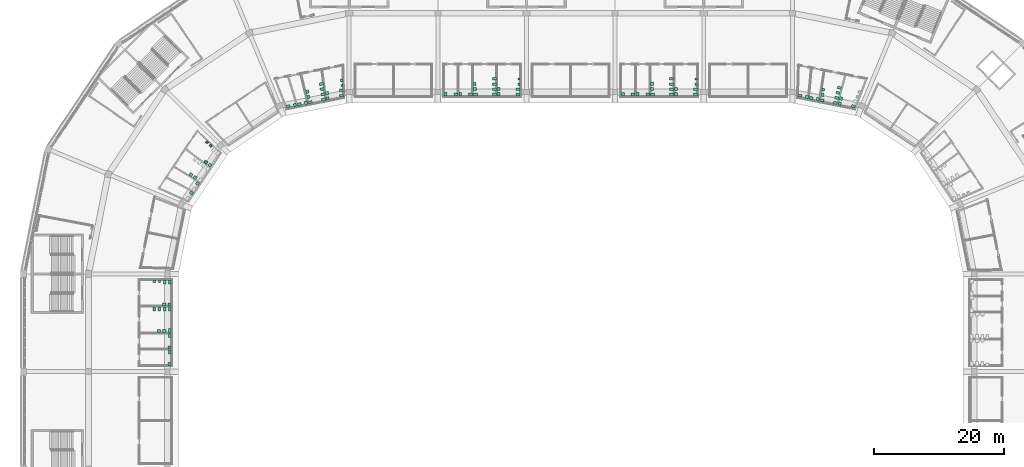
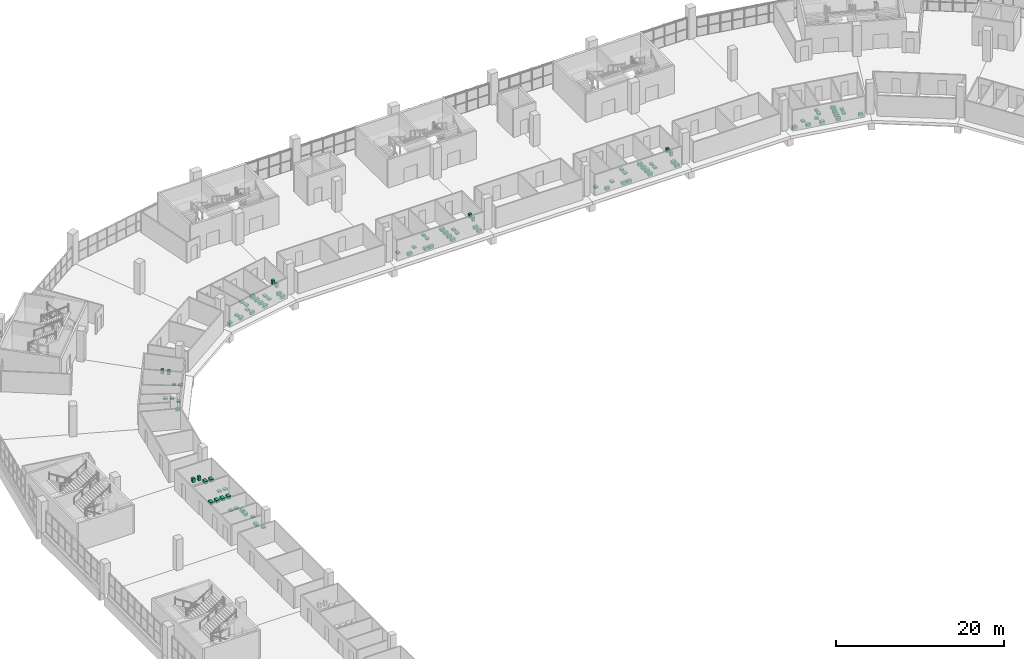
# One storey, part 198 of 199: 90 sanitary terminals.
"""IFC4 building model written with IfcOpenShell, lengths in metres."""

import ifcopenshell
import ifcopenshell.guid

model = None  # the IFC model being written
_history = None  # IfcOwnerHistory: only IFC2X3 demands one
_inside = {}  # id of a spatial element -> (the spatial element, [elements in it])
_under = {}  # id of a project, library or spatial element -> (it, [spatial elements below it])
_declared = {}  # id of a project -> (the project, [libraries it declares])
_typed = {}  # id of a type object -> (the type object, [elements of that type])
_made_of = {}  # id of a material, layer set ... -> (it, [elements and type objects made of it])


def new_model(schema):
    """Start an empty IFC model of exactly this schema.

    Asked for "IFC4X3", IfcOpenShell would pick the latest addendum, in which some entities
    have other attributes; the version numbers below select the first issue.
    IFC2X3 requires an IfcOwnerHistory on every rooted entity: one is made here for all.
    """
    global model, _history
    if schema == "IFC4X3":
        model = ifcopenshell.file(schema_version=(4, 3, 0, 0))
    else:
        model = ifcopenshell.file(schema=schema)
    _inside.clear()
    _under.clear()
    _declared.clear()
    _typed.clear()
    _made_of.clear()
    _history = None
    if model.schema == "IFC2X3":
        org = make("IfcOrganization", Name="unknown")
        user = make(
            "IfcPersonAndOrganization",
            ThePerson=make("IfcPerson", FamilyName="unknown"),
            TheOrganization=org,
        )
        app = make(
            "IfcApplication",
            ApplicationDeveloper=org,
            Version="unknown",
            ApplicationFullName="unknown",
            ApplicationIdentifier="unknown",
        )
        _history = make(
            "IfcOwnerHistory",
            OwningUser=user,
            OwningApplication=app,
            ChangeAction="ADDED",
            CreationDate=0,
        )
    return model


def make(cls, **values):
    """One entity of the class cls with the attributes given. An attribute that is None is left unset."""
    return model.create_entity(
        cls, **{name: value for name, value in values.items() if value is not None}
    )


def rooted(cls, **values):
    """An entity with a GlobalId (a new one), such as an element, a storey or a relation."""
    return make(cls, GlobalId=ifcopenshell.guid.new(), OwnerHistory=_history, **values)


def si_unit(unit_type, name, prefix=None):
    """IfcSIUnit, for example si_unit("LENGTHUNIT", "METRE", prefix="MILLI")."""
    return make("IfcSIUnit", UnitType=unit_type, Prefix=prefix, Name=name)


def assignment(units):
    """IfcUnitAssignment: the units of a project."""
    return None if units is None else make("IfcUnitAssignment", Units=units)


def point(xyz):
    """IfcCartesianPoint."""
    return None if xyz is None else make("IfcCartesianPoint", Coordinates=xyz)


def direction(xyz):
    """IfcDirection."""
    return None if xyz is None else make("IfcDirection", DirectionRatios=xyz)


def frame(location, z_axis=None, x_axis=None):
    """IfcAxis2Placement3D, a coordinate frame: its origin and axes. An axis left out is left unset."""
    return make(
        "IfcAxis2Placement3D",
        Location=point(location),
        Axis=direction(z_axis),
        RefDirection=direction(x_axis),
    )


def frame_2d(location, x_axis=None):
    """IfcAxis2Placement2D, a coordinate frame in the plane: its origin and x axis."""
    return make(
        "IfcAxis2Placement2D", Location=point(location), RefDirection=direction(x_axis)
    )


def origin():
    """The frame at (0, 0, 0) with its axes left unset."""
    return frame((0.0, 0.0, 0.0))


def origin_2d():
    """The frame at (0, 0) in the plane with its x axis left unset."""
    return frame_2d((0.0, 0.0))


def place(relative_to, where):
    """IfcLocalPlacement: puts the frame where relative to a parent placement (None: the world)."""
    return make(
        "IfcLocalPlacement", PlacementRelTo=relative_to, RelativePlacement=where
    )


def context(
    kind, dimensions, precision=None, world=None, true_north=None, identifier=None
):
    """IfcGeometricRepresentationContext, for example the 3D "Model" context."""
    return make(
        "IfcGeometricRepresentationContext",
        ContextIdentifier=identifier,
        ContextType=kind,
        CoordinateSpaceDimension=dimensions,
        Precision=precision,
        WorldCoordinateSystem=world,
        TrueNorth=true_north,
    )


def subcontext(parent, identifier, kind, view, scale=None):
    """IfcGeometricRepresentationSubContext, for example "Body" below "Model"."""
    return make(
        "IfcGeometricRepresentationSubContext",
        ContextIdentifier=identifier,
        ContextType=kind,
        ParentContext=parent,
        TargetScale=scale,
        TargetView=view,
    )


def project(units=None, contexts=None):
    """IfcProject with its units and contexts."""
    return rooted(
        "IfcProject",
        Name="project",
        RepresentationContexts=contexts,
        UnitsInContext=assignment(units),
    )


def spatial(cls, under=None, at=None, **own):
    """A site, building, storey or space (cls), placed at a placement, below another one or the project."""
    s = rooted(cls, ObjectPlacement=at, **own)
    if under is not None:
        _under.setdefault(under.id(), (under, []))[1].append(s)
    return s


def profile(cls, at=None, kind="AREA", **sizes):
    """A parametric profile (cls). Its sizes go by their IFC names, for example OverallWidth=200.0."""
    return make(cls, ProfileType=kind, Position=at, **sizes)


def rectangle(**sizes):
    """IfcRectangleProfileDef."""
    return profile("IfcRectangleProfileDef", **sizes)


def extrude(swept, where, along, depth):
    """IfcExtrudedAreaSolid: the profile swept, set in the frame where, extruded along a direction by depth."""
    return make(
        "IfcExtrudedAreaSolid",
        SweptArea=swept,
        Position=where,
        ExtrudedDirection=direction(along),
        Depth=depth,
    )


def shape(context_of_items, identifier, shape_type, items):
    """IfcShapeRepresentation: the items that make up one representation, for example the "Body"."""
    return make(
        "IfcShapeRepresentation",
        ContextOfItems=context_of_items,
        RepresentationIdentifier=identifier,
        RepresentationType=shape_type,
        Items=items,
    )


def material(Name=None, Category=None):
    """IfcMaterial."""
    return make("IfcMaterial", Name=Name, Category=Category)


def made_of(thing, what):
    """Note that an element or type object is made of a material, layer set ...; save() writes the relation."""
    if what is not None:
        _made_of.setdefault(what.id(), (what, []))[1].append(thing)
    return thing


def type_object(cls, material=None, **own):
    """A type object (cls), such as IfcWallType, which elements share."""
    return made_of(rooted(cls, **own), material)


def element(
    cls,
    number,
    at=None,
    inside=None,
    cuts=None,
    type_object=None,
    material=None,
    context=None,
    identifier="Body",
    shape_type=None,
    held_by="IfcProductDefinitionShape",
    body=None,
    shapes=None,
    **own,
):
    """One element of the class cls, such as IfcWall. Its Tag is "e" and its number.

    at: its placement. inside: the storey or other place that contains it. cuts: it is an
    opening in that element (IfcRelVoidsElement). A single representation is given by context,
    identifier, shape_type and body (its items); several are given by shapes. held_by: the class
    of the entity that holds the representations. save() writes the other relations.
    """
    e = rooted(cls, Tag="e%d" % number, ObjectPlacement=at, **own)
    if body is not None:
        shapes = [shape(context, identifier, shape_type, body)]
    if shapes is not None:
        e.Representation = make(held_by, Representations=shapes)
    if inside is not None:
        _inside.setdefault(inside.id(), (inside, []))[1].append(e)
    if cuts is not None:
        rooted(
            "IfcRelVoidsElement", RelatingBuildingElement=cuts, RelatedOpeningElement=e
        )
    if type_object is not None:
        _typed.setdefault(type_object.id(), (type_object, []))[1].append(e)
    return made_of(e, material)


def aggregate(whole, parts):
    """IfcRelAggregates: a whole, such as a stair, and the parts it consists of."""
    return rooted("IfcRelAggregates", RelatingObject=whole, RelatedObjects=parts)


def save(model, path):
    """Write the relations noted so far, then the file.

    IfcRelAggregates (storeys below a building ...), IfcRelContainedInSpatialStructure (elements
    in a storey), IfcRelDefinesByType, IfcRelAssociatesMaterial and IfcRelDeclares: one each for
    every whole, place, type object, material and project.
    """
    for whole, parts in _under.values():
        aggregate(whole, parts)
    for where, things in _inside.values():
        rooted(
            "IfcRelContainedInSpatialStructure",
            RelatedElements=things,
            RelatingStructure=where,
        )
    for kind, things in _typed.values():
        rooted("IfcRelDefinesByType", RelatedObjects=things, RelatingType=kind)
    for what, things in _made_of.values():
        rooted("IfcRelAssociatesMaterial", RelatedObjects=things, RelatingMaterial=what)
    for by, libraries in _declared.values():
        rooted("IfcRelDeclares", RelatingContext=by, RelatedDefinitions=libraries)
    model.write(path)


model = new_model("IFC4")

# Units and contexts
model_context = context("Model", 3, precision=1e-05, world=origin(), true_north=direction((0.0, 1.0)))
body_context = subcontext(model_context, "Body", "Model", "MODEL_VIEW")
ifc_project = project(units=[si_unit("LENGTHUNIT", "METRE"), si_unit("AREAUNIT", "SQUARE_METRE"), si_unit("VOLUMEUNIT", "CUBIC_METRE"), si_unit("PLANEANGLEUNIT", "RADIAN"), si_unit("MASSUNIT", "GRAM", prefix="KILO")], contexts=[model_context])

# Site, building, storey
site_placement = place(None, origin())
site = spatial("IfcSite", under=ifc_project, at=site_placement, CompositionType="ELEMENT")
building_placement = place(site_placement, origin())
building = spatial("IfcBuilding", under=site, at=building_placement, Name="Ogive Plaza Stadium", CompositionType="ELEMENT")
storey_placement = place(building_placement, frame((0.0, 0.0, 4.5)))
storey = spatial("IfcBuildingStorey", under=building, at=storey_placement, Name="L01", CompositionType="ELEMENT", Elevation=4.5)

# Sanitary terminals
ifc_material_1 = material(Name="Vitreous china", Category="ceramic")
sanitary_terminal_type_1 = type_object("IfcSanitaryTerminalType", Name="Drinking fountain", PredefinedType="SANITARYFOUNTAIN", material=ifc_material_1)
for number, where, z_axis, x_axis, name in (
    (1, (-55.98583984375, 69.653076171875, 0.7998046875), (0.0, 0.0, 1.0), (-0.792821793707, 0.609453528518, 0.0), "Drinking fountain L01-094"),
    (2, (-14.740966796875, 81.64990234375, 0.7998046875), (0.0, 0.0, 1.0), (0.0, 1.0, 0.0), "Drinking fountain L01-110"),
    (3, (38.72216796875, 80.75390625, 0.7998046875), (0.0, 0.0, 1.0), (0.157954707162, 0.987446358282, 0.0), "Drinking fountain L01-122"),
):
    element("IfcSanitaryTerminal", number, at=place(storey_placement, frame(where, z_axis=z_axis, x_axis=x_axis)), inside=storey, type_object=sanitary_terminal_type_1, Name=name, PredefinedType="SANITARYFOUNTAIN", context=body_context, shape_type="SweptSolid", body=[
        extrude(rectangle(XDim=0.449951171875, YDim=0.39990234375, at=origin_2d()), origin(), (0.0, 0.0, 1.0), 0.199951171875),
    ])
ifc_material_2 = material(Name="Vitreous china", Category="ceramic")
sanitary_terminal_type_2 = type_object("IfcSanitaryTerminalType", Name="Lavatory", PredefinedType="WASHHANDBASIN", material=ifc_material_2)
for number, where, z_axis, x_axis, name in (
    (4, (-61.574951171875, 47.80810546875, 0.7998046875), (0.0, 0.0, 1.0), (-1.0, 0.0, 0.0), "Lavatory L01-087"),
    (5, (-62.375, 47.80810546875, 0.7998046875), (0.0, 0.0, 1.0), (-1.0, 0.0, 0.0), "Lavatory L01-087"),
    (6, (-55.356201171875, 69.20068359375, 0.7998046875), (0.0, 0.0, 1.0), (-0.792821793707, 0.609453528518, 0.0), "Lavatory L01-094"),
    (7, (-37.2919921875, 79.41015625, 0.7998046875), (0.0, 0.0, 1.0), (-0.12966094377, 0.991558389436, 0.0), "Lavatory L01-102"),
    (8, (-37.395751953125, 80.203369140625, 0.7998046875), (0.0, 0.0, 1.0), (-0.12966094377, 0.991558389436, 0.0), "Lavatory L01-102"),
    (9, (-11.05810546875, 80.074951171875, 0.7998046875), (0.0, 0.0, 1.0), (0.0, 1.0, 0.0), "Lavatory L01-109"),
    (10, (-11.05810546875, 80.875, 0.7998046875), (0.0, 0.0, 1.0), (0.0, 1.0, 0.0), "Lavatory L01-109"),
    (11, (16.14208984375, 80.074951171875, 0.7998046875), (0.0, 0.0, 1.0), (0.0, 1.0, 0.0), "Lavatory L01-115"),
    (12, (16.14208984375, 80.875, 0.7998046875), (0.0, 0.0, 1.0), (0.0, 1.0, 0.0), "Lavatory L01-115"),
    (13, (41.256591796875, 78.62158203125, 0.7998046875), (0.0, 0.0, 1.0), (0.259661875744, 0.965699596295, 0.0), "Lavatory L01-121"),
    (14, (41.46435546875, 79.39404296875, 0.7998046875), (0.0, 0.0, 1.0), (0.259661875744, 0.965699596295, 0.0), "Lavatory L01-121"),
    (15, (-62.375, 43.716064453125, 0.7998046875), (0.0, 0.0, 1.0), (-1.0, 0.0, 0.0), "Lavatory L01-088"),
    (16, (-63.175048828125, 43.716064453125, 0.7998046875), (0.0, 0.0, 1.0), (-1.0, 0.0, 0.0), "Lavatory L01-088"),
    (17, (-57.622802734375, 67.290283203125, 0.7998046875), (0.0, 0.0, 1.0), (-0.851834830375, 0.523810482675, 0.0), "Lavatory L01-095"),
    (18, (-58.30419921875, 67.709228515625, 0.7998046875), (0.0, 0.0, 1.0), (-0.851834830375, 0.523810482675, 0.0), "Lavatory L01-095"),
    (19, (-40.24560546875, 79.662109375, 0.7998046875), (0.0, 0.0, 1.0), (-0.231948240653, 0.972728129365, 0.0), "Lavatory L01-103"),
    (20, (-40.43115234375, 80.440185546875, 0.7998046875), (0.0, 0.0, 1.0), (-0.231948240653, 0.972728129365, 0.0), "Lavatory L01-103"),
    (21, (-14.716064453125, 80.875, 0.7998046875), (0.0, 0.0, 1.0), (0.0, 1.0, 0.0), "Lavatory L01-110"),
    (22, (12.48388671875, 80.875, 0.7998046875), (0.0, 0.0, 1.0), (0.0, 1.0, 0.0), "Lavatory L01-116"),
    (23, (12.48388671875, 81.675048828125, 0.7998046875), (0.0, 0.0, 1.0), (0.0, 1.0, 0.0), "Lavatory L01-116"),
    (24, (38.62451171875, 79.984619140625, 0.7998046875), (0.0, 0.0, 1.0), (0.157954707162, 0.987446358282, 0.0), "Lavatory L01-122"),
    (25, (-61.574951171875, 41.2080078125, 0.7998046875), (0.0, 0.0, 1.0), (-1.0, 0.0, 0.0), "Lavatory L01-089"),
    (26, (-61.574951171875, 38.699951171875, 0.7998046875), (0.0, 0.0, 1.0), (-1.0, 0.0, 0.0), "Lavatory L01-090"),
    (27, (-57.25341796875, 66.371337890625, 0.7998046875), (0.0, 0.0, 1.0), (-0.854516855644, 0.519423664671, 0.0), "Lavatory L01-096"),
    (28, (-58.19921875, 64.927734375, 0.7998046875), (0.0, 0.0, 1.0), (-0.885741426275, 0.46417898033, 0.0), "Lavatory L01-097"),
    (29, (-40.634033203125, 78.751220703125, 0.7998046875), (0.0, 0.0, 1.0), (-0.236946667666, 0.971522658862, 0.0), "Lavatory L01-104"),
    (30, (-42.32373046875, 78.399169921875, 0.7998046875), (0.0, 0.0, 1.0), (-0.298089664221, 0.954537873573, 0.0), "Lavatory L01-105"),
    (31, (-16.9580078125, 80.074951171875, 0.7998046875), (0.0, 0.0, 1.0), (0.0, 1.0, 0.0), "Lavatory L01-111"),
    (32, (-19.199951171875, 80.074951171875, 0.7998046875), (0.0, 0.0, 1.0), (0.0, 1.0, 0.0), "Lavatory L01-112"),
    (33, (10.241943359375, 80.074951171875, 0.7998046875), (0.0, 0.0, 1.0), (0.0, 1.0, 0.0), "Lavatory L01-117"),
    (34, (8.0, 80.074951171875, 0.7998046875), (0.0, 0.0, 1.0), (0.0, 1.0, 0.0), "Lavatory L01-118"),
    (35, (37.916748046875, 79.291748046875, 0.7998046875), (0.0, 0.0, 1.0), (0.15287544916, 0.988245463963, 0.0), "Lavatory L01-123"),
    (36, (36.22119140625, 79.613037109375, 0.7998046875), (0.0, 0.0, 1.0), (0.089886890154, 0.995951980257, 0.0), "Lavatory L01-124"),
):
    element("IfcSanitaryTerminal", number, at=place(storey_placement, frame(where, z_axis=z_axis, x_axis=x_axis)), inside=storey, type_object=sanitary_terminal_type_2, Name=name, PredefinedType="WASHHANDBASIN", context=body_context, shape_type="SweptSolid", body=[
        extrude(rectangle(XDim=0.5, YDim=0.449951171875, at=origin_2d()), origin(), (0.0, 0.0, 1.0), 0.199951171875),
    ])
ifc_material_3 = material(Name="Vitreous china", Category="ceramic")
sanitary_terminal_type_3 = type_object("IfcSanitaryTerminalType", Name="Urinal", PredefinedType="URINAL", material=ifc_material_3)
for number, where, z_axis, x_axis, name in (
    (37, (-63.10009765625, 51.35009765625, 0.599853515625), (0.0, 0.0, 1.0), (-1.0, 0.0, 0.0), "Urinal L01-087"),
    (38, (-63.89990234375, 51.35009765625, 0.599853515625), (0.0, 0.0, 1.0), (-1.0, 0.0, 0.0), "Urinal L01-087"),
    (39, (-55.235107421875, 72.162109375, 0.599853515625), (0.0, 0.0, 1.0), (-0.72963734478, 0.683834296524, 0.0), "Urinal L01-094"),
    (40, (-55.81884765625, 72.709228515625, 0.599853515625), (0.0, 0.0, 1.0), (-0.72963734478, 0.683834296524, 0.0), "Urinal L01-094"),
    (41, (-35.1123046875, 81.418701171875, 0.599853515625), (0.0, 0.0, 1.0), (-0.03238764602, 0.999475382581, 0.0), "Urinal L01-102"),
    (42, (-35.13818359375, 82.21826171875, 0.599853515625), (0.0, 0.0, 1.0), (-0.03238764602, 0.999475382581, 0.0), "Urinal L01-102"),
    (43, (-7.949951171875, 81.60009765625, 0.599853515625), (0.0, 0.0, 1.0), (0.0, 1.0, 0.0), "Urinal L01-109"),
    (44, (-7.949951171875, 82.39990234375, 0.599853515625), (0.0, 0.0, 1.0), (0.0, 1.0, 0.0), "Urinal L01-109"),
    (45, (19.25, 81.60009765625, 0.599853515625), (0.0, 0.0, 1.0), (0.0, 1.0, 0.0), "Urinal L01-115"),
    (46, (19.25, 82.39990234375, 0.599853515625), (0.0, 0.0, 1.0), (0.0, 1.0, 0.0), "Urinal L01-115"),
):
    element("IfcSanitaryTerminal", number, at=place(storey_placement, frame(where, z_axis=z_axis, x_axis=x_axis)), inside=storey, type_object=sanitary_terminal_type_3, Name=name, PredefinedType="URINAL", context=body_context, shape_type="SweptSolid", body=[
        extrude(rectangle(XDim=0.35009765625, YDim=0.35009765625, at=origin_2d()), origin(), (0.0, 0.0, 1.0), 0.60009765625),
    ])
ifc_material_4 = material(Name="Vitreous china", Category="ceramic")
sanitary_terminal_type_4 = type_object("IfcSanitaryTerminalType", Name="Water closet", PredefinedType="TOILETPAN", material=ifc_material_4)
for number, where, z_axis, x_axis, name in (
    (47, (-61.52490234375, 51.22509765625, 0.0), (0.0, 0.0, 1.0), (-1.0, 0.0, 0.0), "Water closet L01-087"),
    (48, (-62.324951171875, 51.22509765625, 0.0), (0.0, 0.0, 1.0), (-1.0, 0.0, 0.0), "Water closet L01-087"),
    (49, (-35.18603515625, 79.840576171875, 0.0), (0.0, 0.0, 1.0), (-0.03238764602, 0.999475382581, 0.0), "Water closet L01-102"),
    (50, (-35.2119140625, 80.64013671875, 0.0), (0.0, 0.0, 1.0), (-0.03238764602, 0.999475382581, 0.0), "Water closet L01-102"),
    (51, (-8.074951171875, 80.02490234375, 0.0), (0.0, 0.0, 1.0), (0.0, 1.0, 0.0), "Water closet L01-109"),
    (52, (-8.074951171875, 80.824951171875, 0.0), (0.0, 0.0, 1.0), (0.0, 1.0, 0.0), "Water closet L01-109"),
    (53, (19.125, 80.02490234375, 0.0), (0.0, 0.0, 1.0), (0.0, 1.0, 0.0), "Water closet L01-115"),
    (54, (19.125, 80.824951171875, 0.0), (0.0, 0.0, 1.0), (0.0, 1.0, 0.0), "Water closet L01-115"),
    (55, (43.366943359375, 78.213134765625, 0.0), (0.0, 0.0, 1.0), (0.352560386706, 0.935789064761, 0.0), "Water closet L01-121"),
    (56, (-61.52490234375, 47.133056640625, 0.0), (0.0, 0.0, 1.0), (-1.0, 0.0, 0.0), "Water closet L01-088"),
    (57, (-62.324951171875, 47.133056640625, 0.0), (0.0, 0.0, 1.0), (-1.0, 0.0, 0.0), "Water closet L01-088"),
    (58, (-63.125, 47.133056640625, 0.0), (0.0, 0.0, 1.0), (-1.0, 0.0, 0.0), "Water closet L01-088"),
    (59, (-63.925048828125, 47.133056640625, 0.0), (0.0, 0.0, 1.0), (-1.0, 0.0, 0.0), "Water closet L01-088"),
    (60, (-61.52490234375, 43.791015625, 0.0), (0.0, 0.0, 1.0), (-1.0, 0.0, 0.0), "Water closet L01-088"),
    (61, (-37.942138671875, 79.263916015625, 0.0), (0.0, 0.0, 1.0), (-0.134743707476, 0.990880483861, 0.0), "Water closet L01-103"),
    (62, (-38.050048828125, 80.056640625, 0.0), (0.0, 0.0, 1.0), (-0.134743707476, 0.990880483861, 0.0), "Water closet L01-103"),
    (63, (-38.15771484375, 80.849365234375, 0.0), (0.0, 0.0, 1.0), (-0.134743707476, 0.990880483861, 0.0), "Water closet L01-103"),
    (64, (-38.265625, 81.64208984375, 0.0), (0.0, 0.0, 1.0), (-0.134743707476, 0.990880483861, 0.0), "Water closet L01-103"),
    (65, (-39.975341796875, 78.852783203125, 0.0), (0.0, 0.0, 1.0), (-0.231948240653, 0.972728129365, 0.0), "Water closet L01-103"),
    (66, (-11.73291015625, 80.02490234375, 0.0), (0.0, 0.0, 1.0), (0.0, 1.0, 0.0), "Water closet L01-110"),
    (67, (-11.73291015625, 80.824951171875, 0.0), (0.0, 0.0, 1.0), (0.0, 1.0, 0.0), "Water closet L01-110"),
    (68, (-11.73291015625, 81.625, 0.0), (0.0, 0.0, 1.0), (0.0, 1.0, 0.0), "Water closet L01-110"),
    (69, (-11.73291015625, 82.425048828125, 0.0), (0.0, 0.0, 1.0), (0.0, 1.0, 0.0), "Water closet L01-110"),
    (70, (-14.64111328125, 80.02490234375, 0.0), (0.0, 0.0, 1.0), (0.0, 1.0, 0.0), "Water closet L01-110"),
    (71, (15.467041015625, 80.02490234375, 0.0), (0.0, 0.0, 1.0), (0.0, 1.0, 0.0), "Water closet L01-116"),
    (72, (15.467041015625, 80.824951171875, 0.0), (0.0, 0.0, 1.0), (0.0, 1.0, 0.0), "Water closet L01-116"),
    (73, (15.467041015625, 81.625, 0.0), (0.0, 0.0, 1.0), (0.0, 1.0, 0.0), "Water closet L01-116"),
    (74, (15.467041015625, 82.425048828125, 0.0), (0.0, 0.0, 1.0), (0.0, 1.0, 0.0), "Water closet L01-116"),
    (75, (12.55908203125, 80.02490234375, 0.0), (0.0, 0.0, 1.0), (0.0, 1.0, 0.0), "Water closet L01-116"),
    (76, (40.60009765625, 78.7353515625, 0.0), (0.0, 0.0, 1.0), (0.254706591156, 0.96701838267, 0.0), "Water closet L01-122"),
    (77, (40.8037109375, 79.5087890625, 0.0), (0.0, 0.0, 1.0), (0.254706591156, 0.96701838267, 0.0), "Water closet L01-122"),
    (78, (41.007568359375, 80.282470703125, 0.0), (0.0, 0.0, 1.0), (0.254706591156, 0.96701838267, 0.0), "Water closet L01-122"),
    (79, (41.211181640625, 81.05615234375, 0.0), (0.0, 0.0, 1.0), (0.254706591156, 0.96701838267, 0.0), "Water closet L01-122"),
    (80, (38.564208984375, 79.13330078125, 0.0), (0.0, 0.0, 1.0), (0.157954707162, 0.987446358282, 0.0), "Water closet L01-122"),
    (81, (-61.52490234375, 43.041015625, 0.0), (0.0, 0.0, 1.0), (-1.0, 0.0, 0.0), "Water closet L01-089"),
    (82, (-61.52490234375, 40.532958984375, 0.0), (0.0, 0.0, 1.0), (-1.0, 0.0, 0.0), "Water closet L01-090"),
    (83, (-41.6708984375, 78.53369140625, 0.0), (0.0, 0.0, 1.0), (-0.293224481396, 0.956043620088, 0.0), "Water closet L01-104"),
    (84, (-43.366943359375, 78.213134765625, 0.0), (0.0, 0.0, 1.0), (-0.352560386706, 0.935789064761, 0.0), "Water closet L01-105"),
    (85, (-15.39111328125, 80.02490234375, 0.0), (0.0, 0.0, 1.0), (0.0, 1.0, 0.0), "Water closet L01-111"),
    (86, (-17.633056640625, 80.02490234375, 0.0), (0.0, 0.0, 1.0), (0.0, 1.0, 0.0), "Water closet L01-112"),
    (87, (11.80908203125, 80.02490234375, 0.0), (0.0, 0.0, 1.0), (0.0, 1.0, 0.0), "Water closet L01-117"),
    (88, (9.56689453125, 80.02490234375, 0.0), (0.0, 0.0, 1.0), (0.0, 1.0, 0.0), "Water closet L01-118"),
    (89, (36.875732421875, 79.487548828125, 0.0), (0.0, 0.0, 1.0), (0.094957957233, 0.995481283781, 0.0), "Water closet L01-123"),
    (90, (35.18603515625, 79.840576171875, 0.0), (0.0, 0.0, 1.0), (0.03238764602, 0.999475382581, 0.0), "Water closet L01-124"),
):
    element("IfcSanitaryTerminal", number, at=place(storey_placement, frame(where, z_axis=z_axis, x_axis=x_axis)), inside=storey, type_object=sanitary_terminal_type_4, Name=name, PredefinedType="TOILETPAN", context=body_context, shape_type="SweptSolid", body=[
        extrude(rectangle(XDim=0.39990234375, YDim=0.60009765625, at=origin_2d()), origin(), (0.0, 0.0, 1.0), 0.39990234375),
    ])

save(model, "model.ifc")
